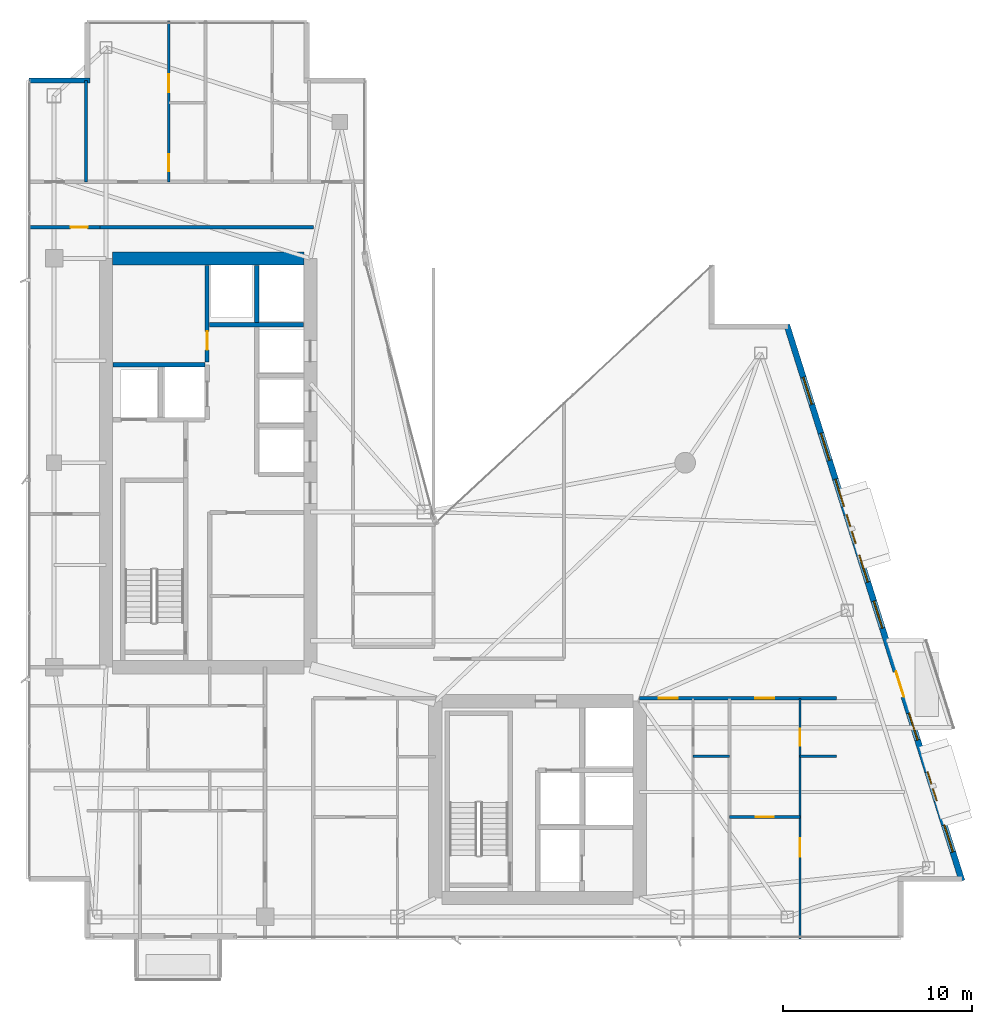
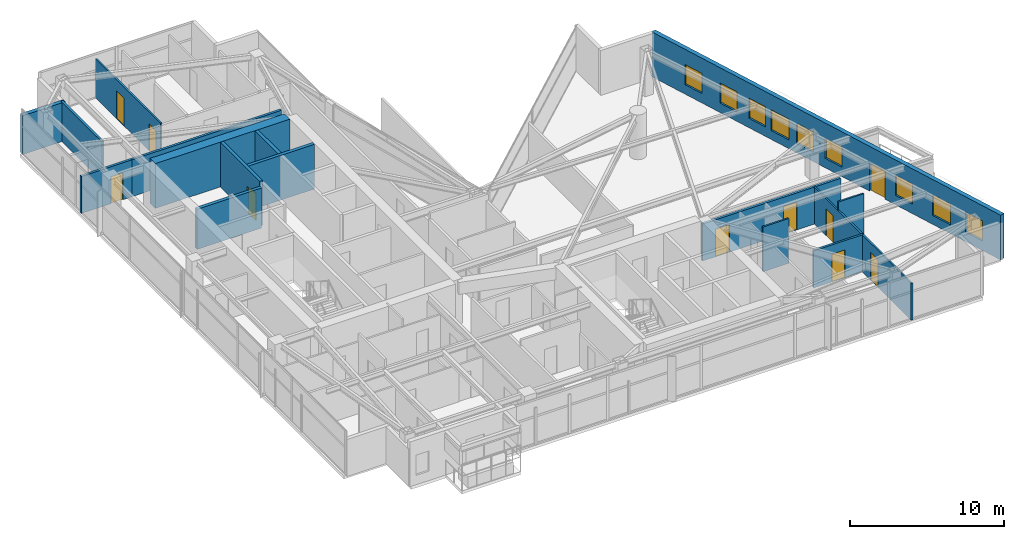
# One storey, part 24 of 27: 16 walls, 10 doors, 9 windows, 19 openings.
"""IFC4 building model written with IfcOpenShell, lengths in metres."""

from ifc_helpers import new_model, si_unit, direction, frame, frame_2d, origin, place, context, subcontext, project, spatial, rectangle, extrude, material, layer, layer_set, type_object, element, fill, save


model = new_model("IFC4")

# Units and contexts
model_context = context("Model", 3, precision=1e-05, world=origin(), true_north=direction((0.0, 1.0)))
body_context = subcontext(model_context, "Body", "Model", "MODEL_VIEW")
ifc_project = project(units=[si_unit("LENGTHUNIT", "METRE"), si_unit("AREAUNIT", "SQUARE_METRE"), si_unit("VOLUMEUNIT", "CUBIC_METRE"), si_unit("PLANEANGLEUNIT", "RADIAN"), si_unit("MASSUNIT", "GRAM", prefix="KILO")], contexts=[model_context])

# Site, building, storey
site_placement = place(None, origin())
site = spatial("IfcSite", under=ifc_project, at=site_placement, CompositionType="ELEMENT")
building_placement = place(site_placement, origin())
building = spatial("IfcBuilding", under=site, at=building_placement, Name="Calvorn Quay Hotel", CompositionType="ELEMENT")
storey_placement = place(building_placement, frame((0.0, 0.0, 223.10009765625)))
storey = spatial("IfcBuildingStorey", under=building, at=storey_placement, Name="L55", CompositionType="ELEMENT", Elevation=223.10009765625)

# Wall
ifc_material_1 = material(Name="Concrete C45", Category="concrete")
ifc_layer_1 = layer(ifc_material_1, 0.699951171875)
ifc_layer_set_1 = layer_set([ifc_layer_1], Name="WL-CORE-700")
wall_type_1 = type_object("IfcWallType", Name="WL-CORE-700", PredefinedType="SHEAR", material=ifc_layer_set_1)
wall_1_placement = place(storey_placement, frame((4.550048828125, 38.39990234375, 0.0), z_axis=(0.0, 0.0, 1.0), x_axis=(1.0, 0.0, 0.0)))
element("IfcWall", 1, at=wall_1_placement, inside=storey, type_object=wall_type_1, Name="West Core Shear Wall N (L55)", PredefinedType="SHEAR", context=body_context, shape_type="SweptSolid", body=[
    extrude(rectangle(XDim=10.099853515625, YDim=0.699951171875, at=frame_2d((5.0498046875, 0.0))), origin(), (0.0, 0.0, 1.0), 3.559814453125),
])

# Wall, opening, door
ifc_material_2 = material(Name="Acoustic Fireboard Steel-Stud Partition", Category="steel")
ifc_layer_2 = layer(ifc_material_2, 0.179931640625)
ifc_layer_set_2 = layer_set([ifc_layer_2], Name="WL-CORR-FIRE-180")
wall_type_2 = type_object("IfcWallType", Name="WL-CORR-FIRE-180", PredefinedType="PARTITIONING", material=ifc_layer_set_2)
wall_2_placement = place(storey_placement, frame((0.080078125, 40.050048828125, 0.0), z_axis=(0.0, 0.0, 1.0), x_axis=(1.0, 0.0, 0.0)))
wall_2 = element("IfcWall", 2, at=wall_2_placement, inside=storey, type_object=wall_type_2, Name="Partition Wall L55-WL-WBAY-N-DOOR", PredefinedType="PARTITIONING", context=body_context, shape_type="SweptSolid", body=[
    extrude(rectangle(XDim=3.7998046875, YDim=0.179931640625, at=frame_2d((1.89990234375, 0.0))), origin(), (0.0, 0.0, 1.0), 2.93994140625),
])
opening_1_placement = place(wall_2_placement, frame((2.25, 0.0, 0.0)))
opening_1 = element("IfcOpeningElement", 3, at=opening_1_placement, cuts=wall_2, Name="Opening D-L55-WBN", PredefinedType="OPENING", context=body_context, shape_type="SweptSolid", body=[
    extrude(rectangle(XDim=0.89990234375, YDim=2.14990234375, at=frame_2d((0.449951171875, 1.074951171875))), frame((0.0, 0.099853515625, 0.0), z_axis=(0.0, -1.0, 0.0), x_axis=(1.0, 0.0, 0.0)), (0.0, 0.0, 1.0), 0.199951171875),
])
ifc_material_3 = material(Name="Moisture-Sealed Timber En-Suite Door", Category="wood")
door_type_1 = type_object("IfcDoorType", Name="DR-ENSUITE-900", OperationType="NOTDEFINED", PredefinedType="DOOR", material=ifc_material_3)
door_1_placement = place(opening_1_placement, origin())
door_1 = element("IfcDoor", 4, at=door_1_placement, inside=storey, type_object=door_type_1, Name="West North Bay Door (L55)", OperationType="SINGLE_SWING_LEFT", OverallHeight=2.14990234375, OverallWidth=0.89990234375, PredefinedType="DOOR", context=body_context, shape_type="SweptSolid", body=[
    extrude(rectangle(XDim=0.89990234375, YDim=2.14990234375, at=frame_2d((0.449951171875, 1.074951171875))), frame((0.0, 0.02490234375, 0.0), z_axis=(0.0, -1.0, 0.0), x_axis=(1.0, 0.0, 0.0)), (0.0, 0.0, 1.0), 0.050048828125),
])
fill(opening_1, door_1)

# Wall
wall_3_placement = place(storey_placement, frame((3.830078125, 40.050048828125, 0.0), z_axis=(0.0, 0.0, 1.0), x_axis=(1.0, 0.0, 0.0)))
element("IfcWall", 5, at=wall_3_placement, inside=storey, type_object=wall_type_2, Name="Partition Wall L55-WL-W-SPUR-S", PredefinedType="PARTITIONING", context=body_context, shape_type="SweptSolid", body=[
    extrude(rectangle(XDim=11.31982421875, YDim=0.179931640625, at=frame_2d((5.659912109375, 0.0))), origin(), (0.0, 0.0, 1.0), 2.93994140625),
])

# Wall, openings, doors
wall_4_placement = place(storey_placement, frame((32.39990234375, 15.14990234375, 0.0), z_axis=(0.0, 0.0, 1.0), x_axis=(1.0, 0.0, 0.0)))
wall_4 = element("IfcWall", 6, at=wall_4_placement, inside=storey, type_object=wall_type_2, Name="Partition Wall L55-WL-CORR-SE-S", PredefinedType="PARTITIONING", context=body_context, shape_type="SweptSolid", body=[
    extrude(rectangle(XDim=10.400146484375, YDim=0.179931640625, at=frame_2d((5.2001953125, 0.0))), origin(), (0.0, 0.0, 1.0), 2.93994140625),
])
opening_2_placement = place(wall_4_placement, frame((1.0, 0.0, 0.0)))
opening_2 = element("IfcOpeningElement", 7, at=opening_2_placement, cuts=wall_4, Name="Opening D-L55-U06", PredefinedType="OPENING", context=body_context, shape_type="SweptSolid", body=[
    extrude(rectangle(XDim=1.02001953125, YDim=2.199951171875, at=frame_2d((0.510009765625, 1.10009765625))), frame((0.0, 0.099853515625, 0.0), z_axis=(0.0, -1.0, 0.0), x_axis=(1.0, 0.0, 0.0)), (0.0, 0.0, 1.0), 0.199951171875),
])
opening_3_placement = place(wall_4_placement, frame((6.10009765625, 0.0, 0.0)))
opening_3 = element("IfcOpeningElement", 8, at=opening_3_placement, cuts=wall_4, Name="Opening D-L55-U07", PredefinedType="OPENING", context=body_context, shape_type="SweptSolid", body=[
    extrude(rectangle(XDim=1.02001953125, YDim=2.199951171875, at=frame_2d((0.510009765625, 1.10009765625))), frame((0.0, 0.099853515625, 0.0), z_axis=(0.0, -1.0, 0.0), x_axis=(1.0, 0.0, 0.0)), (0.0, 0.0, 1.0), 0.199951171875),
])
ifc_material_4 = material(Name="Solid-Core Walnut Veneer Hotel Fire Door")
door_type_2 = type_object("IfcDoorType", Name="DR-GUEST-ENTRY-1020", OperationType="NOTDEFINED", PredefinedType="DOOR", material=ifc_material_4)
door_2_placement = place(opening_2_placement, origin())
door_2 = element("IfcDoor", 9, at=door_2_placement, inside=storey, type_object=door_type_2, Name="South-East Unit Door U06 (L55)", OperationType="SINGLE_SWING_LEFT", OverallHeight=2.199951171875, OverallWidth=1.02001953125, PredefinedType="DOOR", context=body_context, shape_type="SweptSolid", body=[
    extrude(rectangle(XDim=1.02001953125, YDim=2.199951171875, at=frame_2d((0.510009765625, 1.10009765625))), frame((0.0, 0.02490234375, 0.0), z_axis=(0.0, -1.0, 0.0), x_axis=(1.0, 0.0, 0.0)), (0.0, 0.0, 1.0), 0.050048828125),
])
fill(opening_2, door_2)
door_3_placement = place(opening_3_placement, origin())
door_3 = element("IfcDoor", 10, at=door_3_placement, inside=storey, type_object=door_type_2, Name="South-East Unit Door U07 (L55)", OperationType="SINGLE_SWING_RIGHT", OverallHeight=2.199951171875, OverallWidth=1.02001953125, PredefinedType="DOOR", context=body_context, shape_type="SweptSolid", body=[
    extrude(rectangle(XDim=1.02001953125, YDim=2.199951171875, at=frame_2d((0.510009765625, 1.10009765625))), frame((0.0, 0.02490234375, 0.0), z_axis=(0.0, -1.0, 0.0), x_axis=(1.0, 0.0, 0.0)), (0.0, 0.0, 1.0), 0.050048828125),
])
fill(opening_3, door_3)

ifc_material_5 = material(Name="Moisture-Resistant Tile-Backed Partition")
ifc_layer_3 = layer(ifc_material_5, 0.125)
ifc_layer_set_3 = layer_set([ifc_layer_3], Name="WL-ENSUITE-125")
wall_type_3 = type_object("IfcWallType", Name="WL-ENSUITE-125", PredefinedType="PARTITIONING", material=ifc_layer_set_3)
wall_5_placement = place(storey_placement, frame((7.52001953125, 42.449951171875, 0.0), z_axis=(0.0, 0.0, 1.0), x_axis=(0.0, 1.0, 0.0)))
wall_5 = element("IfcWall", 11, at=wall_5_placement, inside=storey, type_object=wall_type_3, Name="Partition Wall L55-WL-U04-BV", PredefinedType="PARTITIONING", context=body_context, shape_type="SweptSolid", body=[
    extrude(rectangle(XDim=8.489990234375, YDim=0.125, at=frame_2d((4.2451171875, 0.0))), origin(), (0.0, 0.0, 1.0), 3.08984375),
])
opening_4_placement = place(wall_5_placement, frame((0.550048828125, 0.0, 0.0)))
opening_4 = element("IfcOpeningElement", 12, at=opening_4_placement, cuts=wall_5, Name="Opening D-L55-E04", PredefinedType="OPENING", context=body_context, shape_type="SweptSolid", body=[
    extrude(rectangle(XDim=0.89990234375, YDim=2.14990234375, at=frame_2d((0.449951171875, 1.074951171875))), frame((0.0, 0.072509765625, 0.0), z_axis=(0.0, -1.0, 0.0), x_axis=(1.0, 0.0, 0.0)), (0.0, 0.0, 1.0), 0.14501953125),
])
opening_5_placement = place(wall_5_placement, frame((4.719970703125, 0.0, 0.0)))
opening_5 = element("IfcOpeningElement", 13, at=opening_5_placement, cuts=wall_5, Name="Opening D-L55-S04", PredefinedType="OPENING", context=body_context, shape_type="SweptSolid", body=[
    extrude(rectangle(XDim=0.9599609375, YDim=2.199951171875, at=frame_2d((0.47998046875, 1.10009765625))), frame((0.0, 0.072509765625, 0.0), z_axis=(0.0, -1.0, 0.0), x_axis=(1.0, 0.0, 0.0)), (0.0, 0.0, 1.0), 0.14501953125),
])
door_4_placement = place(opening_4_placement, origin())
door_4 = element("IfcDoor", 14, at=door_4_placement, inside=storey, type_object=door_type_1, Name="En-Suite Door 04", OperationType="SINGLE_SWING_LEFT", OverallHeight=2.14990234375, OverallWidth=0.89990234375, PredefinedType="DOOR", context=body_context, shape_type="SweptSolid", body=[
    extrude(rectangle(XDim=0.89990234375, YDim=2.14990234375, at=frame_2d((0.449951171875, 1.074951171875))), frame((0.0, 0.02490234375, 0.0), z_axis=(0.0, -1.0, 0.0), x_axis=(1.0, 0.0, 0.0)), (0.0, 0.0, 1.0), 0.050048828125),
])
fill(opening_4, door_4)
ifc_material_6 = material(Name="Solid Timber Internal Suite Door", Category="wood")
door_type_3 = type_object("IfcDoorType", Name="DR-SUITE-INT-960", OperationType="NOTDEFINED", PredefinedType="DOOR", material=ifc_material_6)
door_5_placement = place(opening_5_placement, origin())
door_5 = element("IfcDoor", 15, at=door_5_placement, inside=storey, type_object=door_type_3, Name="Private Executive Study Door 04", OperationType="SINGLE_SWING_RIGHT", OverallHeight=2.199951171875, OverallWidth=0.9599609375, PredefinedType="DOOR", context=body_context, shape_type="SweptSolid", body=[
    extrude(rectangle(XDim=0.9599609375, YDim=2.199951171875, at=frame_2d((0.47998046875, 1.10009765625))), frame((0.0, 0.02490234375, 0.0), z_axis=(0.0, -1.0, 0.0), x_axis=(1.0, 0.0, 0.0)), (0.0, 0.0, 1.0), 0.050048828125),
])
fill(opening_5, door_5)

# Walls
for number, where, z_axis, x_axis, name in (
    (16, (35.219970703125, 12.10009765625, 0.0), (0.0, 0.0, 1.0), (1.0, 0.0, 0.0), "Partition Wall L55-WL-U06-BDV"),
    (17, (40.8701171875, 12.10009765625, 0.0), (0.0, 0.0, 1.0), (1.0, 0.0, 0.0), "Partition Wall L55-WL-U07-BDV"),
):
    element("IfcWall", number, at=place(storey_placement, frame(where, z_axis=z_axis, x_axis=x_axis)), inside=storey, type_object=wall_type_3, Name=name, PredefinedType="PARTITIONING", context=body_context, shape_type="SweptSolid", body=[
        extrude(rectangle(XDim=1.929931640625, YDim=0.125, at=frame_2d((0.96484375, 0.0))), origin(), (0.0, 0.0, 1.0), 3.559814453125),
    ])

# Wall, openings, doors
wall_6_placement = place(storey_placement, frame((40.8701171875, 2.43994140625, 0.0), z_axis=(0.0, 0.0, 1.0), x_axis=(0.0, 1.0, 0.0)))
wall_6 = element("IfcWall", 18, at=wall_6_placement, inside=storey, type_object=wall_type_3, Name="Partition Wall L55-WL-U07-BV", PredefinedType="PARTITIONING", context=body_context, shape_type="SweptSolid", body=[
    extrude(rectangle(XDim=12.7099609375, YDim=0.125, at=frame_2d((6.35498046875, 0.0))), origin(), (0.0, 0.0, 1.0), 2.93994140625),
])
opening_6_placement = place(wall_6_placement, frame((4.35009765625, 0.0, 0.0)))
opening_6 = element("IfcOpeningElement", 19, at=opening_6_placement, cuts=wall_6, Name="Opening D-L55-S07", PredefinedType="OPENING", context=body_context, shape_type="SweptSolid", body=[
    extrude(rectangle(XDim=0.9599609375, YDim=2.199951171875, at=frame_2d((0.47998046875, 1.10009765625))), frame((0.0, 0.072509765625, 0.0), z_axis=(0.0, -1.0, 0.0), x_axis=(1.0, 0.0, 0.0)), (0.0, 0.0, 1.0), 0.14501953125),
])
opening_7_placement = place(wall_6_placement, frame((10.2099609375, 0.0, 0.0)))
opening_7 = element("IfcOpeningElement", 20, at=opening_7_placement, cuts=wall_6, Name="Opening D-L55-E07", PredefinedType="OPENING", context=body_context, shape_type="SweptSolid", body=[
    extrude(rectangle(XDim=0.89990234375, YDim=2.14990234375, at=frame_2d((0.449951171875, 1.074951171875))), frame((0.0, 0.072509765625, 0.0), z_axis=(0.0, -1.0, 0.0), x_axis=(1.0, 0.0, 0.0)), (0.0, 0.0, 1.0), 0.14501953125),
])
door_6_placement = place(opening_7_placement, origin())
door_6 = element("IfcDoor", 21, at=door_6_placement, inside=storey, type_object=door_type_1, Name="En-Suite Door 07", OperationType="SINGLE_SWING_RIGHT", OverallHeight=2.14990234375, OverallWidth=0.89990234375, PredefinedType="DOOR", context=body_context, shape_type="SweptSolid", body=[
    extrude(rectangle(XDim=0.89990234375, YDim=2.14990234375, at=frame_2d((0.449951171875, 1.074951171875))), frame((0.0, 0.02490234375, 0.0), z_axis=(0.0, -1.0, 0.0), x_axis=(1.0, 0.0, 0.0)), (0.0, 0.0, 1.0), 0.050048828125),
])
fill(opening_7, door_6)
door_7_placement = place(opening_6_placement, origin())
door_7 = element("IfcDoor", 22, at=door_7_placement, inside=storey, type_object=door_type_3, Name="Private Executive Study Door 07", OperationType="SINGLE_SWING_LEFT", OverallHeight=2.199951171875, OverallWidth=0.9599609375, PredefinedType="DOOR", context=body_context, shape_type="SweptSolid", body=[
    extrude(rectangle(XDim=0.9599609375, YDim=2.199951171875, at=frame_2d((0.47998046875, 1.10009765625))), frame((0.0, 0.02490234375, 0.0), z_axis=(0.0, -1.0, 0.0), x_axis=(1.0, 0.0, 0.0)), (0.0, 0.0, 1.0), 0.050048828125),
])
fill(opening_6, door_7)

# Wall
ifc_material_7 = material(Name="Concrete C40", Category="concrete")
ifc_layer_4 = layer(ifc_material_7, 0.320068359375)
ifc_layer_set_4 = layer_set([ifc_layer_4], Name="WL-EXT-SPANDREL-320")
wall_type_4 = type_object("IfcWallType", Name="WL-EXT-SPANDREL-320", PredefinedType="SOLIDWALL", material=ifc_layer_set_4)
wall_7_placement = place(storey_placement, frame((3.340087890625, 47.800048828125, 0.0), z_axis=(0.0, 0.0, 1.0), x_axis=(-1.0, 0.0, 0.0)))
element("IfcWall", 23, at=wall_7_placement, inside=storey, type_object=wall_type_4, Name="Notched Corner Spandrel L55-NW2", PredefinedType="SOLIDWALL", context=body_context, shape_type="SweptSolid", body=[
    extrude(rectangle(XDim=3.219970703125, YDim=0.280029296875, at=frame_2d((1.60986328125, 0.0))), origin(), (0.0, 0.0, 1.0), 3.08984375),
])

# Wall, openings, door, windows
wall_8_placement = place(storey_placement, frame((49.429931640625, 5.5048828125, 0.0), z_axis=(0.0, 0.0, 1.0), x_axis=(-0.300509063924, 0.953778958931, 0.0)))
wall_8 = element("IfcWall", 24, at=wall_8_placement, inside=storey, type_object=wall_type_4, Name="East Stepped Waterfront Exterior Wall (L55)", PredefinedType="SOLIDWALL", context=body_context, shape_type="SweptSolid", body=[
    extrude(rectangle(XDim=30.814453125, YDim=0.320068359375, at=frame_2d((15.4072265625, 0.0))), origin(), (0.0, 0.0, 1.0), 3.559814453125),
])
opening_8_placement = place(wall_8_placement, frame((10.198974609375, 0.0, 0.0)))
opening_8 = element("IfcOpeningElement", 25, at=opening_8_placement, cuts=wall_8, Name="Opening DB-L55-1", PredefinedType="OPENING", context=body_context, shape_type="SweptSolid", body=[
    extrude(rectangle(XDim=1.39990234375, YDim=2.25, at=frame_2d((0.699951171875, 1.125))), frame((0.0, 0.169921875, 0.0), z_axis=(0.0, -1.0, 0.0), x_axis=(1.0, 0.0, 0.0)), (0.0, 0.0, 1.0), 0.340087890625),
])
opening_9_placement = place(wall_8_placement, frame((4.43701171875, 0.0, 0.699951171875)))
opening_9 = element("IfcOpeningElement", 26, at=opening_9_placement, cuts=wall_8, Name="Opening WHD-L55-1", PredefinedType="OPENING", context=body_context, shape_type="SweptSolid", body=[
    extrude(rectangle(XDim=1.60009765625, YDim=1.64990234375, at=frame_2d((0.800048828125, 0.824951171875))), frame((0.0, 0.169921875, 0.0), z_axis=(0.0, -1.0, 0.0), x_axis=(1.0, 0.0, 0.0)), (0.0, 0.0, 1.0), 0.340087890625),
])
opening_10_placement = place(wall_8_placement, frame((18.696044921875, 0.0, 0.699951171875)))
opening_10 = element("IfcOpeningElement", 27, at=opening_10_placement, cuts=wall_8, Name="Opening WHD-L55-2", PredefinedType="OPENING", context=body_context, shape_type="SweptSolid", body=[
    extrude(rectangle(XDim=1.60009765625, YDim=1.64990234375, at=frame_2d((0.800048828125, 0.824951171875))), frame((0.0, 0.169921875, 0.0), z_axis=(0.0, -1.0, 0.0), x_axis=(1.0, 0.0, 0.0)), (0.0, 0.0, 1.0), 0.340087890625),
])
opening_11_placement = place(wall_8_placement, frame((1.60009765625, 0.0, 0.75)))
opening_11 = element("IfcOpeningElement", 28, at=opening_11_placement, cuts=wall_8, Name="Opening WG-L55-E1", PredefinedType="OPENING", context=body_context, shape_type="SweptSolid", body=[
    extrude(rectangle(XDim=1.5, YDim=1.60009765625, at=frame_2d((0.75, 0.800048828125))), frame((0.0, 0.169921875, 0.0), z_axis=(0.0, -1.0, 0.0), x_axis=(1.0, 0.0, 0.0)), (0.0, 0.0, 1.0), 0.340087890625),
])
opening_12_placement = place(wall_8_placement, frame((7.800048828125, 0.0, 0.75)))
opening_12 = element("IfcOpeningElement", 29, at=opening_12_placement, cuts=wall_8, Name="Opening WG-L55-E2", PredefinedType="OPENING", context=body_context, shape_type="SweptSolid", body=[
    extrude(rectangle(XDim=1.5, YDim=1.60009765625, at=frame_2d((0.75, 0.800048828125))), frame((0.0, 0.169921875, 0.0), z_axis=(0.0, -1.0, 0.0), x_axis=(1.0, 0.0, 0.0)), (0.0, 0.0, 1.0), 0.340087890625),
])
opening_13_placement = place(wall_8_placement, frame((14.0, 0.0, 0.75)))
opening_13 = element("IfcOpeningElement", 30, at=opening_13_placement, cuts=wall_8, Name="Opening WG-L55-E3", PredefinedType="OPENING", context=body_context, shape_type="SweptSolid", body=[
    extrude(rectangle(XDim=1.5, YDim=1.60009765625, at=frame_2d((0.75, 0.800048828125))), frame((0.0, 0.169921875, 0.0), z_axis=(0.0, -1.0, 0.0), x_axis=(1.0, 0.0, 0.0)), (0.0, 0.0, 1.0), 0.340087890625),
])
opening_14_placement = place(wall_8_placement, frame((16.550048828125, 0.0, 0.75)))
opening_14 = element("IfcOpeningElement", 31, at=opening_14_placement, cuts=wall_8, Name="Opening WG-L55-E4", PredefinedType="OPENING", context=body_context, shape_type="SweptSolid", body=[
    extrude(rectangle(XDim=1.5, YDim=1.60009765625, at=frame_2d((0.75, 0.800048828125))), frame((0.0, 0.169921875, 0.0), z_axis=(0.0, -1.0, 0.0), x_axis=(1.0, 0.0, 0.0)), (0.0, 0.0, 1.0), 0.340087890625),
])
opening_15_placement = place(wall_8_placement, frame((20.75, 0.0, 0.75)))
opening_15 = element("IfcOpeningElement", 32, at=opening_15_placement, cuts=wall_8, Name="Opening WG-L55-E5", PredefinedType="OPENING", context=body_context, shape_type="SweptSolid", body=[
    extrude(rectangle(XDim=1.5, YDim=1.60009765625, at=frame_2d((0.75, 0.800048828125))), frame((0.0, 0.169921875, 0.0), z_axis=(0.0, -1.0, 0.0), x_axis=(1.0, 0.0, 0.0)), (0.0, 0.0, 1.0), 0.340087890625),
])
opening_16_placement = place(wall_8_placement, frame((23.300048828125, 0.0, 0.75)))
opening_16 = element("IfcOpeningElement", 33, at=opening_16_placement, cuts=wall_8, Name="Opening WG-L55-E6", PredefinedType="OPENING", context=body_context, shape_type="SweptSolid", body=[
    extrude(rectangle(XDim=1.5, YDim=1.60009765625, at=frame_2d((0.75, 0.800048828125))), frame((0.0, 0.169921875, 0.0), z_axis=(0.0, -1.0, 0.0), x_axis=(1.0, 0.0, 0.0)), (0.0, 0.0, 1.0), 0.340087890625),
])
opening_17_placement = place(wall_8_placement, frame((26.39990234375, 0.0, 0.75)))
opening_17 = element("IfcOpeningElement", 34, at=opening_17_placement, cuts=wall_8, Name="Opening WG-L55-E7", PredefinedType="OPENING", context=body_context, shape_type="SweptSolid", body=[
    extrude(rectangle(XDim=1.5, YDim=1.60009765625, at=frame_2d((0.75, 0.800048828125))), frame((0.0, 0.169921875, 0.0), z_axis=(0.0, -1.0, 0.0), x_axis=(1.0, 0.0, 0.0)), (0.0, 0.0, 1.0), 0.340087890625),
])
ifc_material_8 = material(Name="Typhoon-Rated Low-E Aluminium Terrace Door", Category="aluminium")
door_type_4 = type_object("IfcDoorType", Name="DR-BALCONY-GLZ-1400", OperationType="NOTDEFINED", PredefinedType="DOOR", material=ifc_material_8)
door_8_placement = place(opening_8_placement, origin())
door_8 = element("IfcDoor", 35, at=door_8_placement, inside=storey, type_object=door_type_4, Name="Tree Balcony Terrace Door L55-BALC-E", OperationType="SINGLE_SWING_LEFT", OverallHeight=2.25, OverallWidth=1.39990234375, PredefinedType="DOOR", context=body_context, shape_type="SweptSolid", body=[
    extrude(rectangle(XDim=1.39990234375, YDim=2.25, at=frame_2d((0.699951171875, 1.125))), frame((0.0, 0.02490234375, 0.0), z_axis=(0.0, -1.0, 0.0), x_axis=(1.0, 0.0, 0.0)), (0.0, 0.0, 1.0), 0.050048828125),
])
fill(opening_8, door_8)
ifc_material_9 = material(Name="Champagne-Bronze Aluminium Low-E Window", Category="aluminium")
window_type_1 = type_object("IfcWindowType", Name="WIN-GUEST-SIDE-1600x2100", PartitioningType="SINGLE_PANEL", PredefinedType="WINDOW", material=ifc_material_9)
window_1_placement = place(opening_9_placement, origin())
window_1 = element("IfcWindow", 36, at=window_1_placement, inside=storey, type_object=window_type_1, Name="Bay Hood Window L55-HOOD-1", OverallHeight=1.64990234375, OverallWidth=1.60009765625, PartitioningType="SINGLE_PANEL", PredefinedType="WINDOW", context=body_context, shape_type="SweptSolid", body=[
    extrude(rectangle(XDim=1.60009765625, YDim=1.64990234375, at=frame_2d((0.800048828125, 0.824951171875))), frame((0.0, 0.030029296875, 0.0), z_axis=(0.0, -1.0, 0.0), x_axis=(1.0, 0.0, 0.0)), (0.0, 0.0, 1.0), 0.06005859375),
])
fill(opening_9, window_1)
window_2_placement = place(opening_10_placement, origin())
window_2 = element("IfcWindow", 37, at=window_2_placement, inside=storey, type_object=window_type_1, Name="Bay Hood Window L55-HOOD-3", OverallHeight=1.64990234375, OverallWidth=1.60009765625, PartitioningType="SINGLE_PANEL", PredefinedType="WINDOW", context=body_context, shape_type="SweptSolid", body=[
    extrude(rectangle(XDim=1.60009765625, YDim=1.64990234375, at=frame_2d((0.800048828125, 0.824951171875))), frame((0.0, 0.030029296875, 0.0), z_axis=(0.0, -1.0, 0.0), x_axis=(1.0, 0.0, 0.0)), (0.0, 0.0, 1.0), 0.06005859375),
])
fill(opening_10, window_2)
ifc_material_10 = material(Name="Self-Closing Class B Fire Window")
window_type_2 = type_object("IfcWindowType", Name="WIN-REFUGE-1500x1600", PartitioningType="SINGLE_PANEL", PredefinedType="WINDOW", material=ifc_material_10)
window_3_placement = place(opening_11_placement, origin())
window_3 = element("IfcWindow", 38, at=window_3_placement, inside=storey, type_object=window_type_2, Name="East Facade Window L55-E1", OverallHeight=1.60009765625, OverallWidth=1.5, PartitioningType="SINGLE_PANEL", PredefinedType="WINDOW", context=body_context, shape_type="SweptSolid", body=[
    extrude(rectangle(XDim=1.5, YDim=1.60009765625, at=frame_2d((0.75, 0.800048828125))), frame((0.0, 0.030029296875, 0.0), z_axis=(0.0, -1.0, 0.0), x_axis=(1.0, 0.0, 0.0)), (0.0, 0.0, 1.0), 0.06005859375),
])
fill(opening_11, window_3)
window_4_placement = place(opening_12_placement, origin())
window_4 = element("IfcWindow", 39, at=window_4_placement, inside=storey, type_object=window_type_2, Name="East Facade Window L55-E2", OverallHeight=1.60009765625, OverallWidth=1.5, PartitioningType="SINGLE_PANEL", PredefinedType="WINDOW", context=body_context, shape_type="SweptSolid", body=[
    extrude(rectangle(XDim=1.5, YDim=1.60009765625, at=frame_2d((0.75, 0.800048828125))), frame((0.0, 0.030029296875, 0.0), z_axis=(0.0, -1.0, 0.0), x_axis=(1.0, 0.0, 0.0)), (0.0, 0.0, 1.0), 0.06005859375),
])
fill(opening_12, window_4)
window_5_placement = place(opening_13_placement, origin())
window_5 = element("IfcWindow", 40, at=window_5_placement, inside=storey, type_object=window_type_2, Name="East Facade Window L55-E3", OverallHeight=1.60009765625, OverallWidth=1.5, PartitioningType="SINGLE_PANEL", PredefinedType="WINDOW", context=body_context, shape_type="SweptSolid", body=[
    extrude(rectangle(XDim=1.5, YDim=1.60009765625, at=frame_2d((0.75, 0.800048828125))), frame((0.0, 0.030029296875, 0.0), z_axis=(0.0, -1.0, 0.0), x_axis=(1.0, 0.0, 0.0)), (0.0, 0.0, 1.0), 0.06005859375),
])
fill(opening_13, window_5)
window_6_placement = place(opening_14_placement, origin())
window_6 = element("IfcWindow", 41, at=window_6_placement, inside=storey, type_object=window_type_2, Name="East Facade Window L55-E4", OverallHeight=1.60009765625, OverallWidth=1.5, PartitioningType="SINGLE_PANEL", PredefinedType="WINDOW", context=body_context, shape_type="SweptSolid", body=[
    extrude(rectangle(XDim=1.5, YDim=1.60009765625, at=frame_2d((0.75, 0.800048828125))), frame((0.0, 0.030029296875, 0.0), z_axis=(0.0, -1.0, 0.0), x_axis=(1.0, 0.0, 0.0)), (0.0, 0.0, 1.0), 0.06005859375),
])
fill(opening_14, window_6)
window_7_placement = place(opening_15_placement, origin())
window_7 = element("IfcWindow", 42, at=window_7_placement, inside=storey, type_object=window_type_2, Name="East Facade Window L55-E5", OverallHeight=1.60009765625, OverallWidth=1.5, PartitioningType="SINGLE_PANEL", PredefinedType="WINDOW", context=body_context, shape_type="SweptSolid", body=[
    extrude(rectangle(XDim=1.5, YDim=1.60009765625, at=frame_2d((0.75, 0.800048828125))), frame((0.0, 0.030029296875, 0.0), z_axis=(0.0, -1.0, 0.0), x_axis=(1.0, 0.0, 0.0)), (0.0, 0.0, 1.0), 0.06005859375),
])
fill(opening_15, window_7)
window_8_placement = place(opening_16_placement, origin())
window_8 = element("IfcWindow", 43, at=window_8_placement, inside=storey, type_object=window_type_2, Name="East Facade Window L55-E6", OverallHeight=1.60009765625, OverallWidth=1.5, PartitioningType="SINGLE_PANEL", PredefinedType="WINDOW", context=body_context, shape_type="SweptSolid", body=[
    extrude(rectangle(XDim=1.5, YDim=1.60009765625, at=frame_2d((0.75, 0.800048828125))), frame((0.0, 0.030029296875, 0.0), z_axis=(0.0, -1.0, 0.0), x_axis=(1.0, 0.0, 0.0)), (0.0, 0.0, 1.0), 0.06005859375),
])
fill(opening_16, window_8)
window_9_placement = place(opening_17_placement, origin())
window_9 = element("IfcWindow", 44, at=window_9_placement, inside=storey, type_object=window_type_2, Name="East Facade Window L55-E7", OverallHeight=1.60009765625, OverallWidth=1.5, PartitioningType="SINGLE_PANEL", PredefinedType="WINDOW", context=body_context, shape_type="SweptSolid", body=[
    extrude(rectangle(XDim=1.5, YDim=1.60009765625, at=frame_2d((0.75, 0.800048828125))), frame((0.0, 0.030029296875, 0.0), z_axis=(0.0, -1.0, 0.0), x_axis=(1.0, 0.0, 0.0)), (0.0, 0.0, 1.0), 0.06005859375),
])
fill(opening_17, window_9)

# Wall
ifc_material_11 = material(Name="Double-Stud Acoustic Gypsum Partition")
ifc_layer_5 = layer(ifc_material_11, 0.159912109375)
ifc_layer_set_5 = layer_set([ifc_layer_5], Name="WL-INTERSUITE-160")
wall_type_5 = type_object("IfcWallType", Name="WL-INTERSUITE-160", PredefinedType="PARTITIONING", material=ifc_layer_set_5)
wall_9_placement = place(storey_placement, frame((3.14990234375, 42.449951171875, 0.0), z_axis=(0.0, 0.0, 1.0), x_axis=(0.0, 1.0, 0.0)))
element("IfcWall", 45, at=wall_9_placement, inside=storey, type_object=wall_type_5, Name="Partition Wall L55-WL-NW-DIV-W0", PredefinedType="PARTITIONING", context=body_context, shape_type="SweptSolid", body=[
    extrude(rectangle(XDim=5.35009765625, YDim=0.159912109375, at=frame_2d((2.675048828125, 0.0))), origin(), (0.0, 0.0, 1.0), 3.139892578125),
])

# Wall, opening, door
wall_10_placement = place(storey_placement, frame((37.14990234375, 8.8798828125, 0.0), z_axis=(0.0, 0.0, 1.0), x_axis=(1.0, 0.0, 0.0)))
wall_10 = element("IfcWall", 46, at=wall_10_placement, inside=storey, type_object=wall_type_5, Name="Partition Wall L55-WL-U07-MSP", PredefinedType="PARTITIONING", context=body_context, shape_type="SweptSolid", body=[
    extrude(rectangle(XDim=3.72021484375, YDim=0.159912109375, at=frame_2d((1.860107421875, 0.0))), origin(), (0.0, 0.0, 1.0), 2.93994140625),
])
opening_18_placement = place(wall_10_placement, frame((1.3798828125, 0.0, 0.0)))
opening_18 = element("IfcOpeningElement", 47, at=opening_18_placement, cuts=wall_10, Name="Opening D-L55-M07", PredefinedType="OPENING", context=body_context, shape_type="SweptSolid", body=[
    extrude(rectangle(XDim=0.9599609375, YDim=2.199951171875, at=frame_2d((0.47998046875, 1.10009765625))), frame((0.0, 0.08984375, 0.0), z_axis=(0.0, -1.0, 0.0), x_axis=(1.0, 0.0, 0.0)), (0.0, 0.0, 1.0), 0.179931640625),
])
door_9_placement = place(opening_18_placement, origin())
door_9 = element("IfcDoor", 48, at=door_9_placement, inside=storey, type_object=door_type_3, Name="Suite Bedroom Door 07", OperationType="SINGLE_SWING_LEFT", OverallHeight=2.199951171875, OverallWidth=0.9599609375, PredefinedType="DOOR", context=body_context, shape_type="SweptSolid", body=[
    extrude(rectangle(XDim=0.9599609375, YDim=2.199951171875, at=frame_2d((0.47998046875, 1.10009765625))), frame((0.0, 0.02490234375, 0.0), z_axis=(0.0, -1.0, 0.0), x_axis=(1.0, 0.0, 0.0)), (0.0, 0.0, 1.0), 0.050048828125),
])
fill(opening_18, door_9)

ifc_material_12 = material(Name="Autoclaved Aerated Masonry Block", Category="masonry")
ifc_layer_6 = layer(ifc_material_12, 0.219970703125)
ifc_layer_set_6 = layer_set([ifc_layer_6], Name="WL-LOBBY-FIRE-220")
wall_type_6 = type_object("IfcWallType", Name="WL-LOBBY-FIRE-220", PredefinedType="SOLIDWALL", material=ifc_layer_set_6)
wall_11_placement = place(storey_placement, frame((9.5400390625, 32.919921875, 0.0), z_axis=(0.0, 0.0, 1.0), x_axis=(0.0, 1.0, 0.0)))
wall_11 = element("IfcWall", 49, at=wall_11_placement, inside=storey, type_object=wall_type_6, Name="Partition Wall L55-WL-CWW-K-E", PredefinedType="SOLIDWALL", context=body_context, shape_type="SweptSolid", body=[
    extrude(rectangle(XDim=5.110107421875, YDim=0.219970703125, at=frame_2d((2.55517578125, 0.0))), origin(), (0.0, 0.0, 1.0), 3.559814453125),
])
opening_19_placement = place(wall_11_placement, frame((0.64990234375, 0.0, 0.0)))
opening_19 = element("IfcOpeningElement", 50, at=opening_19_placement, cuts=wall_11, Name="Opening D-L55-CK1", PredefinedType="OPENING", context=body_context, shape_type="SweptSolid", body=[
    extrude(rectangle(XDim=0.97998046875, YDim=2.14990234375, at=frame_2d((0.489990234375, 1.074951171875))), frame((0.0, 0.119873046875, 0.0), z_axis=(0.0, -1.0, 0.0), x_axis=(1.0, 0.0, 0.0)), (0.0, 0.0, 1.0), 0.239990234375),
])
ifc_material_13 = material(Name="Painted Steel Housekeeping/Riser Fire Door", Category="steel")
door_type_5 = type_object("IfcDoorType", Name="DR-SERVICE-980", OperationType="NOTDEFINED", PredefinedType="DOOR", material=ifc_material_13)
door_10_placement = place(opening_19_placement, origin())
door_10 = element("IfcDoor", 51, at=door_10_placement, inside=storey, type_object=door_type_5, Name="Core Linen Room Door (L55)", OperationType="SINGLE_SWING_LEFT", OverallHeight=2.14990234375, OverallWidth=0.97998046875, PredefinedType="DOOR", context=body_context, shape_type="SweptSolid", body=[
    extrude(rectangle(XDim=0.97998046875, YDim=2.14990234375, at=frame_2d((0.489990234375, 1.074951171875))), frame((0.0, 0.02490234375, 0.0), z_axis=(0.0, -1.0, 0.0), x_axis=(1.0, 0.0, 0.0)), (0.0, 0.0, 1.0), 0.050048828125),
])
fill(opening_19, door_10)

# Walls
ifc_material_14 = material(Name="Concrete C40", Category="concrete")
ifc_layer_7 = layer(ifc_material_14, 0.239990234375)
ifc_layer_set_7 = layer_set([ifc_layer_7], Name="WL-SHAFT-240")
wall_type_7 = type_object("IfcWallType", Name="WL-SHAFT-240", PredefinedType="SOLIDWALL", material=ifc_layer_set_7)
wall_12_placement = place(storey_placement, frame((4.570068359375, 32.780029296875, 0.0), z_axis=(0.0, 0.0, 1.0), x_axis=(1.0, 0.0, 0.0)))
element("IfcWall", 52, at=wall_12_placement, inside=storey, type_object=wall_type_7, Name="Partition Wall L55-WL-CWW-SLW-N", PredefinedType="SOLIDWALL", context=body_context, shape_type="SweptSolid", body=[
    extrude(rectangle(XDim=4.849853515625, YDim=0.239990234375, at=frame_2d((2.4248046875, 0.0))), origin(), (0.0, 0.0, 1.0), 3.18994140625),
])
wall_13_placement = place(storey_placement, frame((9.659912109375, 34.89990234375, 0.0), z_axis=(0.0, 0.0, 1.0), x_axis=(1.0, 0.0, 0.0)))
element("IfcWall", 53, at=wall_13_placement, inside=storey, type_object=wall_type_7, Name="Partition Wall L55-WL-CWW-PLH-S", PredefinedType="SOLIDWALL", context=body_context, shape_type="SweptSolid", body=[
    extrude(rectangle(XDim=4.969970703125, YDim=0.239990234375, at=frame_2d((2.48486328125, 0.0))), origin(), (0.0, 0.0, 1.0), 3.559814453125),
])
wall_14_placement = place(storey_placement, frame((12.14990234375, 35.02001953125, 0.0), z_axis=(0.0, 0.0, 1.0), x_axis=(0.0, 1.0, 0.0)))
element("IfcWall", 54, at=wall_14_placement, inside=storey, type_object=wall_type_7, Name="Partition Wall L55-WL-CWW-PLH-DIV", PredefinedType="SOLIDWALL", context=body_context, shape_type="SweptSolid", body=[
    extrude(rectangle(XDim=3.010009765625, YDim=0.239990234375, at=frame_2d((1.5048828125, 0.0))), origin(), (0.0, 0.0, 1.0), 3.559814453125),
])

save(model, "model.ifc")
